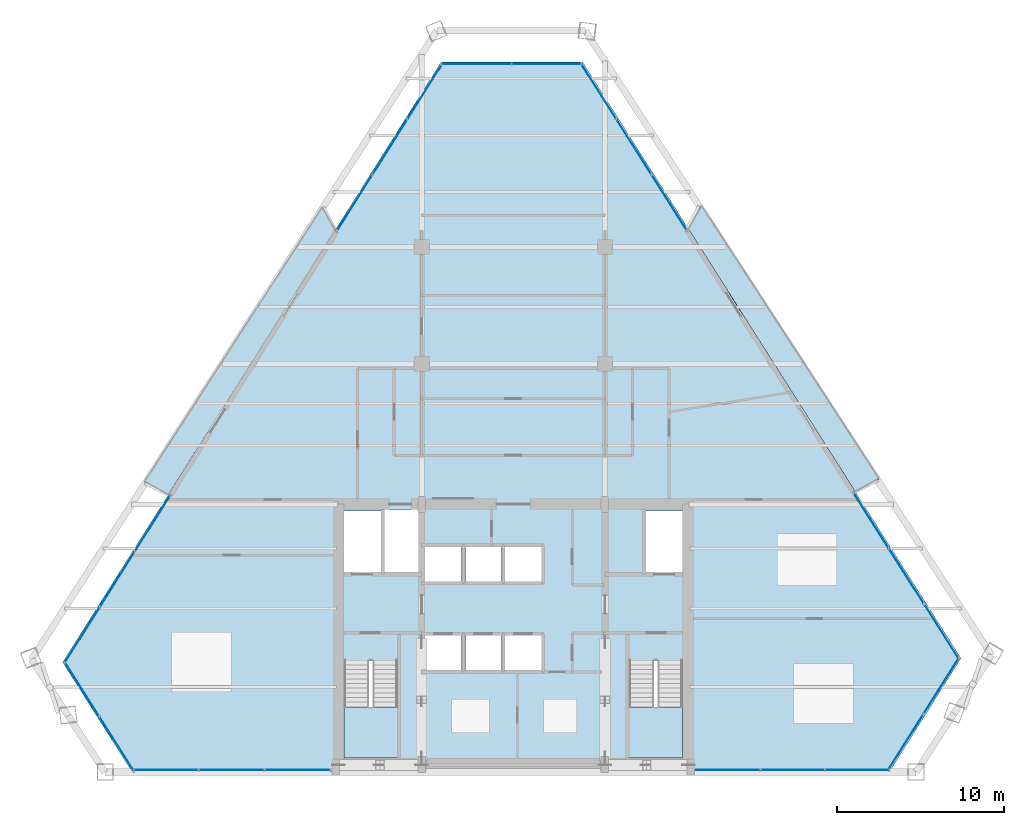
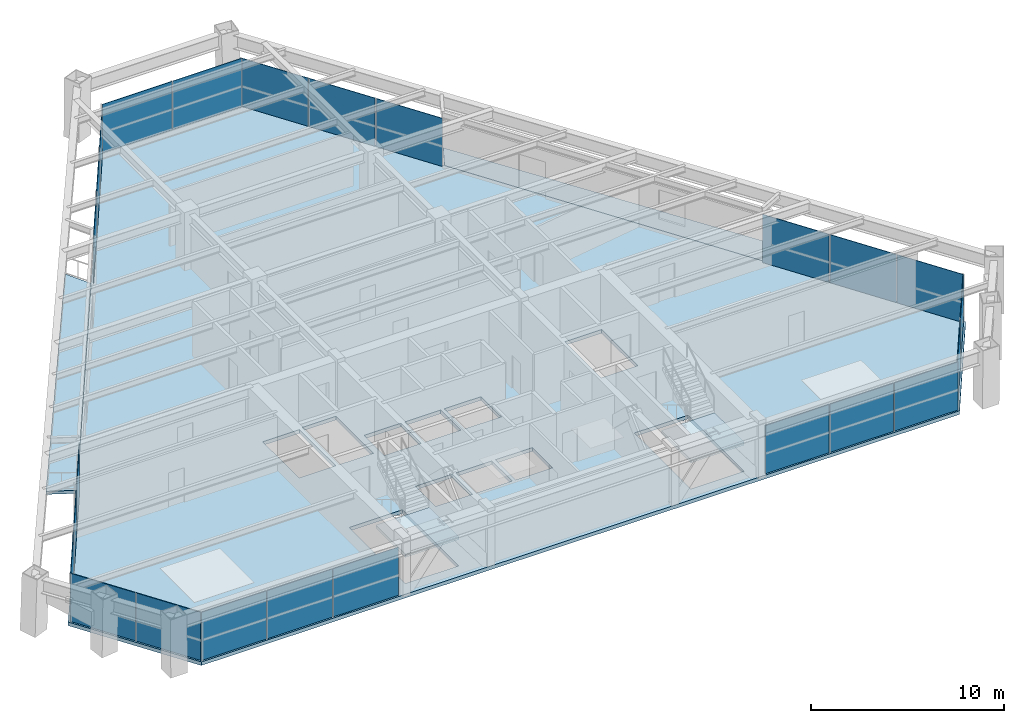
# One storey, part 10 of 15: 24 plates, 5 slabs, 11 elements without a shape of their own.
"""IFC4 building model written with IfcOpenShell, lengths in metres."""

from ifc_helpers import new_model, si_unit, direction, frame, origin, origin_2d, place, context, subcontext, project, spatial, polyline, rectangle, outline, extrude, source, transform, mapped, material, layer, layer_set, type_object, element, aggregate, save


model = new_model("IFC4")

# Units and contexts
model_context = context("Model", 3, precision=1e-05, world=origin(), true_north=direction((0.0, 1.0)))
body_context = subcontext(model_context, "Body", "Model", "MODEL_VIEW")
ifc_project = project(units=[si_unit("LENGTHUNIT", "METRE"), si_unit("AREAUNIT", "SQUARE_METRE"), si_unit("VOLUMEUNIT", "CUBIC_METRE"), si_unit("PLANEANGLEUNIT", "RADIAN"), si_unit("MASSUNIT", "GRAM", prefix="KILO")], contexts=[model_context])

# Site, building, storey
site_placement = place(None, origin())
site = spatial("IfcSite", under=ifc_project, at=site_placement, CompositionType="ELEMENT")
building_placement = place(site_placement, origin())
building = spatial("IfcBuilding", under=site, at=building_placement, Name="Varnakhor Terracotta Tower", CompositionType="ELEMENT")
storey_placement = place(building_placement, frame((0.0, 0.0, 171.0)))
storey = spatial("IfcBuildingStorey", under=building, at=storey_placement, Name="L43", CompositionType="ELEMENT", Elevation=171.0)

# Stair, slab
ifc_material_1 = material(Name="Concrete C40/50", Category="concrete")
stair_type = type_object("IfcStairType", Name="STR-CORE-OFFICE-1500", PredefinedType="HALF_TURN_STAIR", material=ifc_material_1)
stair_1_placement = place(storey_placement, origin())
stair_1 = element("IfcStair", 1, at=stair_1_placement, inside=storey, type_object=stair_type, Name="L43 Core Exit Stair ST-1", PredefinedType="HALF_TURN_STAIR")
ifc_layer_1 = layer(ifc_material_1, 0.179931640625, Name="Concrete C40/50")
ifc_layer_set_1 = layer_set([ifc_layer_1], Name="Concrete C40/50")
slab_type_1 = type_object("IfcSlabType", Name="SLB-LANDING-180", PredefinedType="LANDING", material=ifc_layer_set_1)
slab_1_placement = place(storey_placement, frame((0.0, 0.0, 1.64990234375)))
slab_1 = element("IfcSlab", 2, at=slab_1_placement, type_object=slab_type_1, Name="ST-1 landing 1", PredefinedType="LANDING", context=body_context, shape_type="SweptSolid", body=[
    extrude(outline(polyline([(-10.14990234375, 3.909912109375), (-10.14990234375, 0.85009765625), (-6.949951171875, 0.85009765625), (-6.949951171875, 3.909912109375), (-10.14990234375, 3.909912109375)])), origin(), (0.0, 0.0, 1.0), 0.2001953125),
])
aggregate(stair_1, [slab_1])

stair_2_placement = place(storey_placement, origin())
stair_2 = element("IfcStair", 3, at=stair_2_placement, inside=storey, type_object=stair_type, Name="L43 Core Exit Stair ST-2", PredefinedType="HALF_TURN_STAIR")
slab_2_placement = place(storey_placement, frame((0.0, 0.0, 1.64990234375)))
slab_2 = element("IfcSlab", 4, at=slab_2_placement, type_object=slab_type_1, Name="ST-2 landing 1", PredefinedType="LANDING", context=body_context, shape_type="SweptSolid", body=[
    extrude(outline(polyline([(6.949951171875, 3.909912109375), (6.949951171875, 0.85009765625), (10.14990234375, 0.85009765625), (10.14990234375, 3.909912109375), (6.949951171875, 3.909912109375)])), origin(), (0.0, 0.0, 1.0), 0.2001953125),
])
aggregate(stair_2, [slab_2])

# Slabs
ifc_layer_2 = layer(ifc_material_1, 0.195068359375, Name="Concrete C40/50")
ifc_layer_set_2 = layer_set([ifc_layer_2], Name="Concrete C40/50")
slab_type_2 = type_object("IfcSlabType", Name="SLB-LOGGIA-EXT-195", PredefinedType="FLOOR", material=ifc_layer_set_2)
slab_3_placement = place(storey_placement, frame((0.0, 0.0, -0.195068359375)))
element("IfcSlab", 5, at=slab_3_placement, inside=storey, type_object=slab_type_2, Name="L43 E Recessed Outdoor Loggia Slab", PredefinedType="FLOOR", context=body_context, shape_type="SweptSolid", body=[
    extrude(outline(polyline([(11.259521484375, 34.0), (21.952392578125, 17.574951171875), (20.50390625, 16.840576171875), (10.51318359375, 32.5791015625), (11.259521484375, 34.0)])), origin(), (0.0, 0.0, 1.0), 0.195068359375),
])
slab_4_placement = place(storey_placement, frame((0.0, 0.0, -0.195068359375)))
element("IfcSlab", 6, at=slab_4_placement, inside=storey, type_object=slab_type_2, Name="L43 W Recessed Outdoor Loggia Slab", PredefinedType="FLOOR", context=body_context, shape_type="SweptSolid", body=[
    extrude(outline(polyline([(-22.141357421875, 17.39208984375), (-11.4423828125, 33.9287109375), (-10.693115234375, 32.510986328125), (-20.68505859375, 16.665283203125), (-22.141357421875, 17.39208984375)])), origin(), (0.0, 0.0, 1.0), 0.195068359375),
])
ifc_layer_3 = layer(ifc_material_1, 0.22998046875, Name="Concrete C40/50")
ifc_layer_set_3 = layer_set([ifc_layer_3], Name="Concrete C40/50")
slab_type_3 = type_object("IfcSlabType", Name="SLB-OFF-230", PredefinedType="FLOOR", material=ifc_layer_set_3)
slab_5_placement = place(storey_placement, frame((0.0, 0.0, -0.22998046875)))
element("IfcSlab", 7, at=slab_5_placement, inside=storey, type_object=slab_type_3, Name="L43 Structural Floor Slab", PredefinedType="FLOOR", context=body_context, shape_type="SweptSolid", body=[
    extrude(outline(polyline([(-27.04345703125, 6.581787109375), (-4.33447265625, 42.5947265625), (4.15576171875, 42.5947265625), (26.861328125, 6.8251953125), (22.5576171875, 0.0), (-22.865478515625, 0.0), (-27.04345703125, 6.581787109375)]), holes=[polyline([(-6.949951171875, 0.85009765625), (-6.949951171875, 6.695068359375), (-10.14990234375, 6.695068359375), (-10.14990234375, 0.85009765625), (-6.949951171875, 0.85009765625)]), polyline([(-3.10009765625, 6.10009765625), (-3.10009765625, 8.199951171875), (-5.300048828125, 8.199951171875), (-5.300048828125, 6.10009765625), (-3.10009765625, 6.10009765625)]), polyline([(-0.719970703125, 6.10009765625), (-0.719970703125, 8.199951171875), (-2.8798828125, 8.199951171875), (-2.8798828125, 6.10009765625), (-0.719970703125, 6.10009765625)]), polyline([(-5.300048828125, 11.419921875), (-3.10009765625, 11.419921875), (-3.10009765625, 13.52001953125), (-5.300048828125, 13.52001953125), (-5.300048828125, 11.419921875)]), polyline([(-10.14990234375, 11.8798828125), (-7.949951171875, 11.8798828125), (-7.949951171875, 15.64990234375), (-10.14990234375, 15.64990234375), (-10.14990234375, 11.8798828125)]), polyline([(-5.699951171875, 11.8798828125), (-5.699951171875, 15.75), (-7.72998046875, 15.75), (-7.72998046875, 11.8798828125), (-5.699951171875, 11.8798828125)]), polyline([(6.949951171875, 0.85009765625), (10.14990234375, 0.85009765625), (10.14990234375, 6.695068359375), (6.949951171875, 6.695068359375), (6.949951171875, 0.85009765625)]), polyline([(-0.5, 6.10009765625), (1.699951171875, 6.10009765625), (1.699951171875, 8.199951171875), (-0.5, 8.199951171875), (-0.5, 6.10009765625)]), polyline([(-0.719970703125, 11.419921875), (-0.719970703125, 13.52001953125), (-2.8798828125, 13.52001953125), (-2.8798828125, 11.419921875), (-0.719970703125, 11.419921875)]), polyline([(-0.5, 11.419921875), (1.699951171875, 11.419921875), (1.699951171875, 13.52001953125), (-0.5, 13.52001953125), (-0.5, 11.419921875)]), polyline([(7.949951171875, 11.8798828125), (10.14990234375, 11.8798828125), (10.14990234375, 15.64990234375), (7.949951171875, 15.64990234375), (7.949951171875, 11.8798828125)])]), origin(), (0.0, 0.0, 1.0), 0.22998046875),
])

# Curtain wall, plates
ifc_material_2 = material(Name="Anodised Aluminium Curtain Wall System", Category="aluminium")
curtain_wall_type = type_object("IfcCurtainWallType", Name="CW-SYS-MID-OFFICE", PredefinedType="NOTDEFINED", material=ifc_material_2)
curtain_wall_1_placement = place(storey_placement, origin())
curtain_wall_1 = element("IfcCurtainWall", 8, at=curtain_wall_1_placement, inside=storey, type_object=curtain_wall_type, Name="L43 W Facet Curtain Wall 1", PredefinedType="NOTDEFINED")
ifc_material_3 = material(Name="Solar-Control Low-E Insulated Glass Panel", Category="glass")
ifc_layer_4 = layer(ifc_material_3, 0.035888671875, Name="Solar-Control Low-E Insulated Glass Panel")
ifc_layer_set_4 = layer_set([ifc_layer_4], Name="Solar-Control Low-E Insulated Glass Panel")
plate_type = type_object("IfcPlateType", Name="CWP-03", PredefinedType="CURTAIN_PANEL", material=ifc_layer_set_4)
shared_shape_1 = source(origin(), body_context, "Body", "SweptSolid", [
    extrude(rectangle(XDim=3.913818359375, YDim=0.035888671875, at=origin_2d()), origin(), (0.0, 0.0, 1.0), 3.050048828125),
])
plate_1_placement = place(storey_placement, frame((-25.87158203125, 8.215087890625, 0.0), z_axis=(0.0, 0.0, 1.0), x_axis=(0.533393086605, 0.845867492673, 0.0)))
plate_1 = element("IfcPlate", 9, at=plate_1_placement, type_object=plate_type, Name="L43 W Facet Curtain Wall 1 Glazed Panel 1", PredefinedType="CURTAIN_PANEL", context=body_context, shape_type="MappedRepresentation", body=[
    mapped(shared_shape_1, transform((0.0, 0.0, 0.0), scale=1.0)),
])
plate_2_placement = place(storey_placement, frame((-23.7626953125, 11.5595703125, 0.0), z_axis=(0.0, 0.0, 1.0), x_axis=(0.533393086605, 0.845867492673, 0.0)))
plate_2 = element("IfcPlate", 10, at=plate_2_placement, type_object=plate_type, Name="L43 W Facet Curtain Wall 1 Glazed Panel 2", PredefinedType="CURTAIN_PANEL", context=body_context, shape_type="MappedRepresentation", body=[
    mapped(shared_shape_1, transform((0.0, 0.0, 0.0), scale=1.0)),
])
plate_3_placement = place(storey_placement, frame((-21.65380859375, 14.90380859375, 0.0), z_axis=(0.0, 0.0, 1.0), x_axis=(0.533393086605, 0.845867492673, 0.0)))
plate_3 = element("IfcPlate", 11, at=plate_3_placement, type_object=plate_type, Name="L43 W Facet Curtain Wall 1 Glazed Panel 3", PredefinedType="CURTAIN_PANEL", context=body_context, shape_type="MappedRepresentation", body=[
    mapped(shared_shape_1, transform((0.0, 0.0, 0.0), scale=1.0)),
])
aggregate(curtain_wall_1, [plate_1, plate_2, plate_3])

curtain_wall_2_placement = place(storey_placement, origin())
curtain_wall_2 = element("IfcCurtainWall", 12, at=curtain_wall_2_placement, inside=storey, type_object=curtain_wall_type, Name="L43 W Facet Curtain Wall 2", PredefinedType="NOTDEFINED")
plate_4_placement = place(storey_placement, frame((-9.52099609375, 34.14453125, 0.0), z_axis=(0.0, 0.0, 1.0), x_axis=(0.533393086605, 0.845867492673, 0.0)))
plate_4 = element("IfcPlate", 13, at=plate_4_placement, type_object=plate_type, Name="L43 W Facet Curtain Wall 2 Glazed Panel 1", PredefinedType="CURTAIN_PANEL", context=body_context, shape_type="MappedRepresentation", body=[
    mapped(shared_shape_1, transform((0.0, 0.0, 0.0), scale=1.0)),
])
plate_5_placement = place(storey_placement, frame((-7.412353515625, 37.48876953125, 0.0), z_axis=(0.0, 0.0, 1.0), x_axis=(0.533393086605, 0.845867492673, 0.0)))
plate_5 = element("IfcPlate", 14, at=plate_5_placement, type_object=plate_type, Name="L43 W Facet Curtain Wall 2 Glazed Panel 2", PredefinedType="CURTAIN_PANEL", context=body_context, shape_type="MappedRepresentation", body=[
    mapped(shared_shape_1, transform((0.0, 0.0, 0.0), scale=1.0)),
])
plate_6_placement = place(storey_placement, frame((-5.303466796875, 40.833251953125, 0.0), z_axis=(0.0, 0.0, 1.0), x_axis=(0.533393086605, 0.845867492673, 0.0)))
plate_6 = element("IfcPlate", 15, at=plate_6_placement, type_object=plate_type, Name="L43 W Facet Curtain Wall 2 Glazed Panel 3", PredefinedType="CURTAIN_PANEL", context=body_context, shape_type="MappedRepresentation", body=[
    mapped(shared_shape_1, transform((0.0, 0.0, 0.0), scale=1.0)),
])
aggregate(curtain_wall_2, [plate_4, plate_5, plate_6])

curtain_wall_3_placement = place(storey_placement, origin())
curtain_wall_3 = element("IfcCurtainWall", 16, at=curtain_wall_3_placement, inside=storey, type_object=curtain_wall_type, Name="L43 Facet Curtain Wall 2", PredefinedType="NOTDEFINED")
shared_shape_2 = source(origin(), body_context, "Body", "SweptSolid", [
    extrude(rectangle(XDim=4.175048828125, YDim=0.035888671875, at=origin_2d()), origin(), (0.0, 0.0, 1.0), 3.050048828125),
])
plate_7_placement = place(storey_placement, frame((-2.197021484375, 42.474609375, 0.0), z_axis=(0.0, 0.0, 1.0), x_axis=(1.0, 0.0, 0.0)))
plate_7 = element("IfcPlate", 17, at=plate_7_placement, type_object=plate_type, Name="L43 Facet Curtain Wall 2 Glazed Panel 1", PredefinedType="CURTAIN_PANEL", context=body_context, shape_type="MappedRepresentation", body=[
    mapped(shared_shape_2, transform((0.0, 0.0, 0.0), scale=1.0)),
])
plate_8_placement = place(storey_placement, frame((2.01806640625, 42.474609375, 0.0), z_axis=(0.0, 0.0, 1.0), x_axis=(1.0, 0.0, 0.0)))
plate_8 = element("IfcPlate", 18, at=plate_8_placement, type_object=plate_type, Name="L43 Facet Curtain Wall 2 Glazed Panel 2", PredefinedType="CURTAIN_PANEL", context=body_context, shape_type="MappedRepresentation", body=[
    mapped(shared_shape_2, transform((0.0, 0.0, 0.0), scale=1.0)),
])
aggregate(curtain_wall_3, [plate_7, plate_8])

curtain_wall_4_placement = place(storey_placement, origin())
curtain_wall_4 = element("IfcCurtainWall", 19, at=curtain_wall_4_placement, inside=storey, type_object=curtain_wall_type, Name="L43 E Facet Curtain Wall 1", PredefinedType="NOTDEFINED")
shared_shape_3 = source(origin(), body_context, "Body", "SweptSolid", [
    extrude(rectangle(XDim=3.894287109375, YDim=0.035888671875, at=origin_2d()), origin(), (0.0, 0.0, 1.0), 3.050048828125),
])
plate_9_placement = place(storey_placement, frame((5.124755859375, 40.84423828125, 0.0), z_axis=(0.0, 0.0, 1.0), x_axis=(0.535915209854, -0.844271809222, 0.0)))
plate_9 = element("IfcPlate", 20, at=plate_9_placement, type_object=plate_type, Name="L43 E Facet Curtain Wall 1 Glazed Panel 1", PredefinedType="CURTAIN_PANEL", context=body_context, shape_type="MappedRepresentation", body=[
    mapped(shared_shape_3, transform((0.0, 0.0, 0.0), scale=1.0)),
])
plate_10_placement = place(storey_placement, frame((7.233154296875, 37.522705078125, 0.0), z_axis=(0.0, 0.0, 1.0), x_axis=(0.535915209854, -0.844271809222, 0.0)))
plate_10 = element("IfcPlate", 21, at=plate_10_placement, type_object=plate_type, Name="L43 E Facet Curtain Wall 1 Glazed Panel 2", PredefinedType="CURTAIN_PANEL", context=body_context, shape_type="MappedRepresentation", body=[
    mapped(shared_shape_3, transform((0.0, 0.0, 0.0), scale=1.0)),
])
plate_11_placement = place(storey_placement, frame((9.341552734375, 34.200927734375, 0.0), z_axis=(0.0, 0.0, 1.0), x_axis=(0.535915209854, -0.844271809222, 0.0)))
plate_11 = element("IfcPlate", 22, at=plate_11_placement, type_object=plate_type, Name="L43 E Facet Curtain Wall 1 Glazed Panel 3", PredefinedType="CURTAIN_PANEL", context=body_context, shape_type="MappedRepresentation", body=[
    mapped(shared_shape_3, transform((0.0, 0.0, 0.0), scale=1.0)),
])
aggregate(curtain_wall_4, [plate_9, plate_10, plate_11])

curtain_wall_5_placement = place(storey_placement, origin())
curtain_wall_5 = element("IfcCurtainWall", 23, at=curtain_wall_5_placement, inside=storey, type_object=curtain_wall_type, Name="L43 E Facet Curtain Wall 2", PredefinedType="NOTDEFINED")
plate_12_placement = place(storey_placement, frame((21.472900390625, 15.090087890625, 0.0), z_axis=(0.0, 0.0, 1.0), x_axis=(0.535915209854, -0.844271809222, 0.0)))
plate_12 = element("IfcPlate", 24, at=plate_12_placement, type_object=plate_type, Name="L43 E Facet Curtain Wall 2 Glazed Panel 1", PredefinedType="CURTAIN_PANEL", context=body_context, shape_type="MappedRepresentation", body=[
    mapped(shared_shape_3, transform((0.0, 0.0, 0.0), scale=1.0)),
])
plate_13_placement = place(storey_placement, frame((23.581298828125, 11.7685546875, 0.0), z_axis=(0.0, 0.0, 1.0), x_axis=(0.535915209854, -0.844271809222, 0.0)))
plate_13 = element("IfcPlate", 25, at=plate_13_placement, type_object=plate_type, Name="L43 E Facet Curtain Wall 2 Glazed Panel 2", PredefinedType="CURTAIN_PANEL", context=body_context, shape_type="MappedRepresentation", body=[
    mapped(shared_shape_3, transform((0.0, 0.0, 0.0), scale=1.0)),
])
plate_14_placement = place(storey_placement, frame((25.689697265625, 8.447021484375, 0.0), z_axis=(0.0, 0.0, 1.0), x_axis=(0.535915209854, -0.844271809222, 0.0)))
plate_14 = element("IfcPlate", 26, at=plate_14_placement, type_object=plate_type, Name="L43 E Facet Curtain Wall 2 Glazed Panel 3", PredefinedType="CURTAIN_PANEL", context=body_context, shape_type="MappedRepresentation", body=[
    mapped(shared_shape_3, transform((0.0, 0.0, 0.0), scale=1.0)),
])
aggregate(curtain_wall_5, [plate_12, plate_13, plate_14])

curtain_wall_6_placement = place(storey_placement, origin())
curtain_wall_6 = element("IfcCurtainWall", 27, at=curtain_wall_6_placement, inside=storey, type_object=curtain_wall_type, Name="L43 Facet Curtain Wall 4", PredefinedType="NOTDEFINED")
shared_shape_4 = source(origin(), body_context, "Body", "SweptSolid", [
    extrude(rectangle(XDim=3.96435546875, YDim=0.035888671875, at=origin_2d()), origin(), (0.0, 0.0, 1.0), 3.050048828125),
])
plate_15_placement = place(storey_placement, frame((25.676025390625, 5.170166015625, 0.0), z_axis=(0.0, 0.0, 1.0), x_axis=(-0.533393086605, -0.845867492673, 0.0)))
plate_15 = element("IfcPlate", 28, at=plate_15_placement, type_object=plate_type, Name="L43 Facet Curtain Wall 4 Glazed Panel 1", PredefinedType="CURTAIN_PANEL", context=body_context, shape_type="MappedRepresentation", body=[
    mapped(shared_shape_4, transform((0.0, 0.0, 0.0), scale=1.0)),
])
plate_16_placement = place(storey_placement, frame((23.5400390625, 1.782958984375, 0.0), z_axis=(0.0, 0.0, 1.0), x_axis=(-0.533393086605, -0.845867492673, 0.0)))
plate_16 = element("IfcPlate", 29, at=plate_16_placement, type_object=plate_type, Name="L43 Facet Curtain Wall 4 Glazed Panel 2", PredefinedType="CURTAIN_PANEL", context=body_context, shape_type="MappedRepresentation", body=[
    mapped(shared_shape_4, transform((0.0, 0.0, 0.0), scale=1.0)),
])
aggregate(curtain_wall_6, [plate_15, plate_16])

curtain_wall_7_placement = place(storey_placement, origin())
curtain_wall_7 = element("IfcCurtainWall", 30, at=curtain_wall_7_placement, inside=storey, type_object=curtain_wall_type, Name="L43 South Wing Curtain Wall SSE", PredefinedType="NOTDEFINED")
shared_shape_5 = source(origin(), body_context, "Body", "SweptSolid", [
    extrude(rectangle(XDim=3.819091796875, YDim=0.035888671875, at=origin_2d()), origin(), (0.0, 0.0, 1.0), 3.050048828125),
])
plate_17_placement = place(storey_placement, frame((20.617919921875, 0.1201171875, 0.0), z_axis=(0.0, 0.0, 1.0), x_axis=(-1.0, 0.0, 0.0)))
plate_17 = element("IfcPlate", 31, at=plate_17_placement, type_object=plate_type, Name="L43 South Wing Curtain Wall SSE Glazed Panel 1", PredefinedType="CURTAIN_PANEL", context=body_context, shape_type="MappedRepresentation", body=[
    mapped(shared_shape_5, transform((0.0, 0.0, 0.0), scale=1.0)),
])
plate_18_placement = place(storey_placement, frame((16.7587890625, 0.1201171875, 0.0), z_axis=(0.0, 0.0, 1.0), x_axis=(-1.0, 0.0, 0.0)))
plate_18 = element("IfcPlate", 32, at=plate_18_placement, type_object=plate_type, Name="L43 South Wing Curtain Wall SSE Glazed Panel 2", PredefinedType="CURTAIN_PANEL", context=body_context, shape_type="MappedRepresentation", body=[
    mapped(shared_shape_5, transform((0.0, 0.0, 0.0), scale=1.0)),
])
plate_19_placement = place(storey_placement, frame((12.899658203125, 0.1201171875, 0.0), z_axis=(0.0, 0.0, 1.0), x_axis=(-1.0, 0.0, 0.0)))
plate_19 = element("IfcPlate", 33, at=plate_19_placement, type_object=plate_type, Name="L43 South Wing Curtain Wall SSE Glazed Panel 3", PredefinedType="CURTAIN_PANEL", context=body_context, shape_type="MappedRepresentation", body=[
    mapped(shared_shape_5, transform((0.0, 0.0, 0.0), scale=1.0)),
])
aggregate(curtain_wall_7, [plate_17, plate_18, plate_19])

curtain_wall_8_placement = place(storey_placement, origin())
curtain_wall_8 = element("IfcCurtainWall", 34, at=curtain_wall_8_placement, inside=storey, type_object=curtain_wall_type, Name="L43 South Wing Curtain Wall SSW", PredefinedType="NOTDEFINED")
shared_shape_6 = source(origin(), body_context, "Body", "SweptSolid", [
    extrude(rectangle(XDim=3.921875, YDim=0.035888671875, at=origin_2d()), origin(), (0.0, 0.0, 1.0), 3.050048828125),
])
plate_20_placement = place(storey_placement, frame((-12.950927734375, 0.1201171875, 0.0), z_axis=(0.0, 0.0, 1.0), x_axis=(-1.0, 0.0, 0.0)))
plate_20 = element("IfcPlate", 35, at=plate_20_placement, type_object=plate_type, Name="L43 South Wing Curtain Wall SSW Glazed Panel 1", PredefinedType="CURTAIN_PANEL", context=body_context, shape_type="MappedRepresentation", body=[
    mapped(shared_shape_6, transform((0.0, 0.0, 0.0), scale=1.0)),
])
plate_21_placement = place(storey_placement, frame((-16.912841796875, 0.1201171875, 0.0), z_axis=(0.0, 0.0, 1.0), x_axis=(-1.0, 0.0, 0.0)))
plate_21 = element("IfcPlate", 36, at=plate_21_placement, type_object=plate_type, Name="L43 South Wing Curtain Wall SSW Glazed Panel 2", PredefinedType="CURTAIN_PANEL", context=body_context, shape_type="MappedRepresentation", body=[
    mapped(shared_shape_6, transform((0.0, 0.0, 0.0), scale=1.0)),
])
plate_22_placement = place(storey_placement, frame((-20.87451171875, 0.1201171875, 0.0), z_axis=(0.0, 0.0, 1.0), x_axis=(-1.0, 0.0, 0.0)))
plate_22 = element("IfcPlate", 37, at=plate_22_placement, type_object=plate_type, Name="L43 South Wing Curtain Wall SSW Glazed Panel 3", PredefinedType="CURTAIN_PANEL", context=body_context, shape_type="MappedRepresentation", body=[
    mapped(shared_shape_6, transform((0.0, 0.0, 0.0), scale=1.0)),
])
aggregate(curtain_wall_8, [plate_20, plate_21, plate_22])

curtain_wall_9_placement = place(storey_placement, origin())
curtain_wall_9 = element("IfcCurtainWall", 38, at=curtain_wall_9_placement, inside=storey, type_object=curtain_wall_type, Name="L43 Facet Curtain Wall 6", PredefinedType="NOTDEFINED")
shared_shape_7 = source(origin(), body_context, "Body", "SweptSolid", [
    extrude(rectangle(XDim=3.827880859375, YDim=0.035888671875, at=origin_2d()), origin(), (0.0, 0.0, 1.0), 3.050048828125),
])
plate_23_placement = place(storey_placement, frame((-23.81689453125, 1.722412109375, 0.0), z_axis=(0.0, 0.0, 1.0), x_axis=(-0.535915209854, 0.844271809222, 0.0)))
plate_23 = element("IfcPlate", 39, at=plate_23_placement, type_object=plate_type, Name="L43 Facet Curtain Wall 6 Glazed Panel 1", PredefinedType="CURTAIN_PANEL", context=body_context, shape_type="MappedRepresentation", body=[
    mapped(shared_shape_7, transform((0.0, 0.0, 0.0), scale=1.0)),
])
plate_24_placement = place(storey_placement, frame((-25.8896484375, 4.98779296875, 0.0), z_axis=(0.0, 0.0, 1.0), x_axis=(-0.535915209854, 0.844271809222, 0.0)))
plate_24 = element("IfcPlate", 40, at=plate_24_placement, type_object=plate_type, Name="L43 Facet Curtain Wall 6 Glazed Panel 2", PredefinedType="CURTAIN_PANEL", context=body_context, shape_type="MappedRepresentation", body=[
    mapped(shared_shape_7, transform((0.0, 0.0, 0.0), scale=1.0)),
])
aggregate(curtain_wall_9, [plate_23, plate_24])

save(model, "model.ifc")
